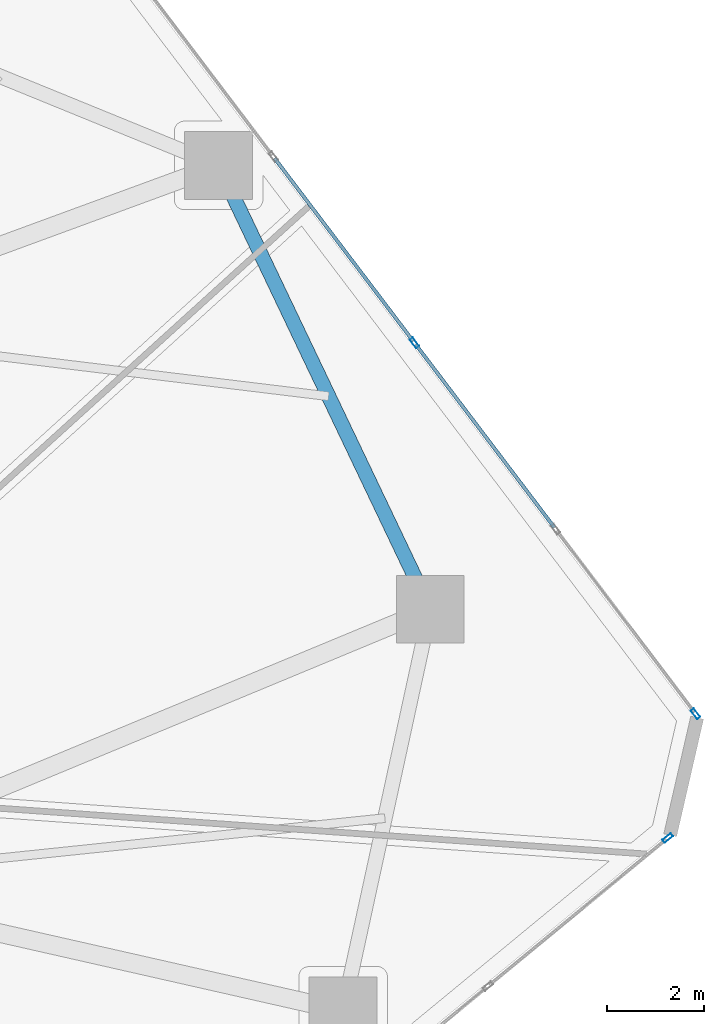
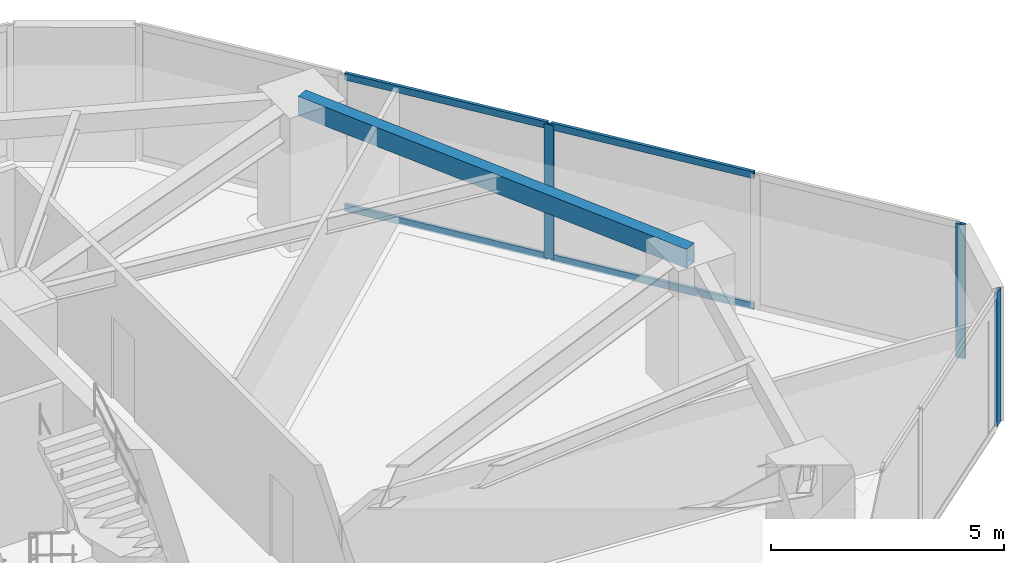
# One storey, part 13 of 23: 7 members, 1 beam, 2 elements without a shape of their own.
"""IFC4 building model written with IfcOpenShell, lengths in metres."""

from ifc_helpers import new_model, si_unit, direction, frame, origin, origin_2d, place, context, subcontext, project, spatial, hollow_rectangle, extrude, source, transform, mapped, material, layer, layer_set, material_profile, profile_set, type_object, type_shapes, element, aggregate, save


model = new_model("IFC4")

# Units and contexts
model_context = context("Model", 3, precision=1e-05, world=origin(), true_north=direction((0.0, 1.0)))
body_context = subcontext(model_context, "Body", "Model", "MODEL_VIEW")
ifc_project = project(units=[si_unit("LENGTHUNIT", "METRE"), si_unit("AREAUNIT", "SQUARE_METRE"), si_unit("VOLUMEUNIT", "CUBIC_METRE"), si_unit("PLANEANGLEUNIT", "RADIAN"), si_unit("MASSUNIT", "GRAM", prefix="KILO")], contexts=[model_context])

# Site, building, storey
site_placement = place(None, origin())
site = spatial("IfcSite", under=ifc_project, at=site_placement, CompositionType="ELEMENT")
building_placement = place(site_placement, origin())
building = spatial("IfcBuilding", under=site, at=building_placement, Name="Talar Marvaseh", CompositionType="ELEMENT")
storey_placement = place(building_placement, frame((0.0, 0.0, 77.199951171875)))
storey = spatial("IfcBuildingStorey", under=building, at=storey_placement, Name="L19", CompositionType="ELEMENT", Elevation=77.199951171875)

# Beam
ifc_material_1 = material(Name="Steel S355", Category="steel")
ifc_material_profile_1 = material_profile(ifc_material_1, hollow_rectangle(XDim=0.300048828125, YDim=0.5, WallThickness=0.02001953125, at=origin_2d()), Name="RHS500x300x20")
ifc_profile_set_1 = profile_set([ifc_material_profile_1], Name="Steel S355")
beam_type = type_object("IfcBeamType", Name="Zone 1 Perimeter Spandrel Beam RHS500x300x20", PredefinedType="SPANDREL", material=ifc_profile_set_1)
beam_placement = place(storey_placement, frame((42.47705078125, 40.26904296875, 3.27001953125), z_axis=(0.430480372911, -0.902599938255, 0.0), x_axis=(0.902599938255, 0.430480372911, 0.0)))
element("IfcBeam", 1, at=beam_placement, inside=storey, type_object=beam_type, Name="L19 Zone 1 Perimeter Spandrel Beam RHS500x300x20", PredefinedType="SPANDREL", context=body_context, shape_type="SweptSolid", body=[
    extrude(hollow_rectangle(XDim=0.300048828125, YDim=0.5, WallThickness=0.02001953125, at=origin_2d()), origin(), (0.0, 0.0, 1.0), 10.137451171875),
])

# Curtain wall, members
ifc_material_2 = material(Name="Architectural Aluminium", Category="aluminium")
ifc_layer = layer(ifc_material_2, 0.219970703125)
ifc_layer_set = layer_set([ifc_layer], Name="Architectural Aluminium")
curtain_wall_type = type_object("IfcCurtainWallType", Name="Unitised Low-E Museum Curtain Wall Z1", PredefinedType="NOTDEFINED", material=ifc_layer_set)
curtain_wall_1_placement = place(storey_placement, origin())
curtain_wall_1 = element("IfcCurtainWall", 2, at=curtain_wall_1_placement, inside=storey, type_object=curtain_wall_type, Name="L19 Unitised Low-E Museum Curtain Wall Z1", PredefinedType="NOTDEFINED")
ifc_material_profile_2 = material_profile(ifc_material_2, hollow_rectangle(XDim=0.080078125, YDim=0.219970703125, WallThickness=0.0048828125, at=origin_2d()), Name="RHS220x80x5")
ifc_profile_set_2 = profile_set([ifc_material_profile_2], Name="Architectural Aluminium")
member_type_1 = type_object("IfcMemberType", Name="Unitised Curtain Wall Heavy Mullion RHS220x80x5", PredefinedType="MULLION", material=ifc_profile_set_2)
shared_shape_1 = source(origin(), body_context, "Body", "SweptSolid", [
    extrude(hollow_rectangle(XDim=0.080078125, YDim=0.219970703125, WallThickness=0.0048828125, at=origin_2d()), origin(), (0.0, 0.0, 1.0), 3.52001953125),
])
type_shapes(member_type_1, [shared_shape_1])
member_1_placement = place(storey_placement, frame((46.516357421875, 36.611083984375, 0.0), z_axis=(0.0, 0.0, 1.0), x_axis=(0.797015451758, 0.603958913884, 0.0)))
member_1 = element("IfcMember", 3, at=member_1_placement, type_object=member_type_1, Name="CW-Z1 mullion 3", PredefinedType="MULLION", context=body_context, shape_type="MappedRepresentation", body=[
    mapped(shared_shape_1, transform((0.0, 0.0, 0.0), x_axis=(1.0, 0.0, 0.0), y_axis=(0.0, 1.0, 0.0), z_axis=(0.0, 0.0, 1.0), scale=1.0)),
])
member_2_placement = place(storey_placement, frame((52.31005859375, 28.96533203125, 0.0), z_axis=(0.0, 0.0, 1.0), x_axis=(0.797015451758, 0.603958913884, 0.0)))
member_2 = element("IfcMember", 4, at=member_2_placement, type_object=member_type_1, Name="CW-Z1 mullion 5", PredefinedType="MULLION", context=body_context, shape_type="MappedRepresentation", body=[
    mapped(shared_shape_1, transform((0.0, 0.0, 0.0), x_axis=(1.0, 0.0, 0.0), y_axis=(0.0, 1.0, 0.0), z_axis=(0.0, 0.0, 1.0), scale=1.0)),
])

# Curtain wall, member
curtain_wall_2_placement = place(storey_placement, origin())
curtain_wall_2 = element("IfcCurtainWall", 5, at=curtain_wall_2_placement, inside=storey, type_object=curtain_wall_type, Name="L19 Unitised Low-E Museum Curtain Wall Z1", PredefinedType="NOTDEFINED")
member_3_placement = place(storey_placement, frame((51.738037109375, 26.404296875, 0.0), z_axis=(0.0, 0.0, 1.0), x_axis=(0.635959254001, -0.771722636217, 0.0)))
member_3 = element("IfcMember", 6, at=member_3_placement, type_object=member_type_1, Name="CW-Z1 mullion 1", PredefinedType="MULLION", context=body_context, shape_type="MappedRepresentation", body=[
    mapped(shared_shape_1, transform((0.0, 0.0, 0.0), x_axis=(1.0, 0.0, 0.0), y_axis=(0.0, 1.0, 0.0), z_axis=(0.0, 0.0, 1.0), scale=1.0)),
])
aggregate(curtain_wall_2, [member_3])

# Member
ifc_material_profile_3 = material_profile(ifc_material_2, hollow_rectangle(XDim=0.074951171875, YDim=0.179931640625, WallThickness=0.0048828125, at=origin_2d()), Name="RHS180x75x5")
ifc_profile_set_3 = profile_set([ifc_material_profile_3], Name="Architectural Aluminium")
member_type_2 = type_object("IfcMemberType", Name="Unitised Curtain Wall Transom RHS180x75x5", PredefinedType="USERDEFINED", material=ifc_profile_set_3)
shared_shape_2 = source(origin(), body_context, "Body", "SweptSolid", [
    extrude(hollow_rectangle(XDim=0.074951171875, YDim=0.179931640625, WallThickness=0.0048828125, at=origin_2d()), origin(), (0.0, 0.0, 1.0), 4.736572265625),
])
type_shapes(member_type_2, [shared_shape_2])
member_4_placement = place(storey_placement, frame((43.63134765625, 40.418212890625, 0.03759765625), z_axis=(0.60397577218, -0.79700267667, 0.0), x_axis=(0.79700267667, 0.60397577218, 0.0)))
member_4 = element("IfcMember", 7, at=member_4_placement, type_object=member_type_2, Name="CW-Z1 transom 2.1", ObjectType="TRANSOM", PredefinedType="USERDEFINED", context=body_context, shape_type="MappedRepresentation", body=[
    mapped(shared_shape_2, transform((0.0, 0.0, 0.0), x_axis=(1.0, 0.0, 0.0), y_axis=(0.0, 1.0, 0.0), z_axis=(0.0, 0.0, 1.0), scale=1.0)),
])

member_5_placement = place(storey_placement, frame((43.63134765625, 40.418212890625, 3.482666015625), z_axis=(0.60397577218, -0.79700267667, 0.0), x_axis=(0.79700267667, 0.60397577218, 0.0)))
member_5 = element("IfcMember", 8, at=member_5_placement, type_object=member_type_2, Name="CW-Z1 transom 2.2", ObjectType="TRANSOM", PredefinedType="USERDEFINED", context=body_context, shape_type="MappedRepresentation", body=[
    mapped(shared_shape_2, transform((0.0, 0.0, 0.0), x_axis=(1.0, 0.0, 0.0), y_axis=(0.0, 1.0, 0.0), z_axis=(0.0, 0.0, 1.0), scale=1.0)),
])

member_6_placement = place(storey_placement, frame((46.54052734375, 36.579345703125, 0.03759765625), z_axis=(0.60394303013, -0.79702748783, 0.0), x_axis=(0.79702748783, 0.60394303013, 0.0)))
member_6 = element("IfcMember", 9, at=member_6_placement, type_object=member_type_2, Name="CW-Z1 transom 3.1", ObjectType="TRANSOM", PredefinedType="USERDEFINED", context=body_context, shape_type="MappedRepresentation", body=[
    mapped(shared_shape_2, transform((0.0, 0.0, 0.0), x_axis=(1.0, 0.0, 0.0), y_axis=(0.0, 1.0, 0.0), z_axis=(0.0, 0.0, 1.0), scale=1.0)),
])

member_7_placement = place(storey_placement, frame((46.54052734375, 36.579345703125, 3.482666015625), z_axis=(0.60394303013, -0.79702748783, 0.0), x_axis=(0.79702748783, 0.60394303013, 0.0)))
member_7 = element("IfcMember", 10, at=member_7_placement, type_object=member_type_2, Name="CW-Z1 transom 3.2", ObjectType="TRANSOM", PredefinedType="USERDEFINED", context=body_context, shape_type="MappedRepresentation", body=[
    mapped(shared_shape_2, transform((0.0, 0.0, 0.0), x_axis=(1.0, 0.0, 0.0), y_axis=(0.0, 1.0, 0.0), z_axis=(0.0, 0.0, 1.0), scale=1.0)),
])

aggregate(curtain_wall_1, [member_1, member_2, member_4, member_5, member_6, member_7])

save(model, "model.ifc")
